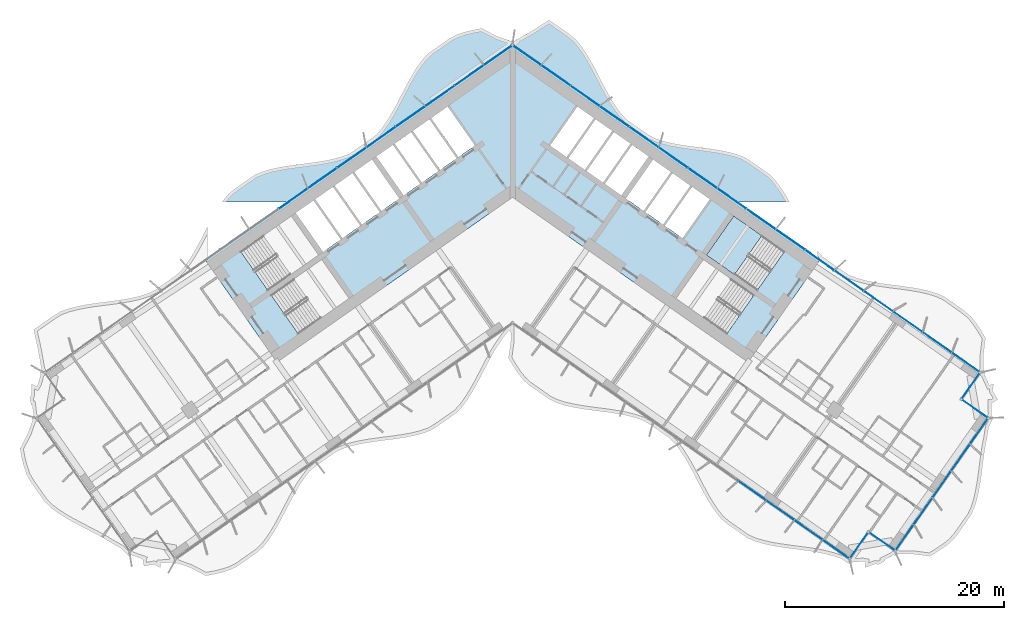
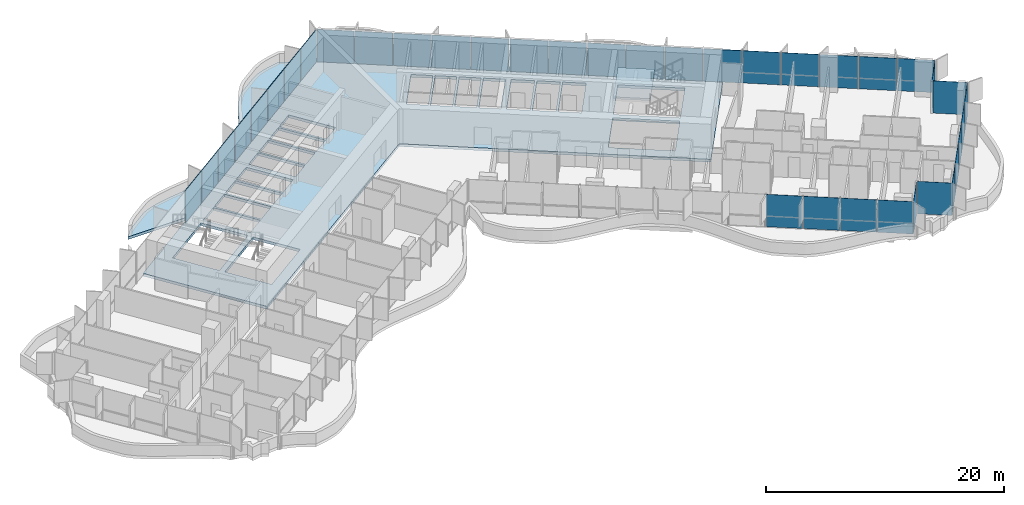
# One storey, part 12 of 25: 37 plates, 3 slabs, 3 elements without a shape of their own.
"""IFC4 building model written with IfcOpenShell, lengths in metres."""

from ifc_helpers import new_model, si_unit, direction, frame, origin, origin_2d, place, context, subcontext, project, spatial, polyline, rectangle, outline, extrude, material, layer, layer_set, type_object, element, aggregate, save


model = new_model("IFC4")

# Units and contexts
model_context = context("Model", 3, precision=1e-05, world=origin(), true_north=direction((0.0, 1.0)))
body_context = subcontext(model_context, "Body", "Model", "MODEL_VIEW")
ifc_project = project(units=[si_unit("LENGTHUNIT", "METRE"), si_unit("AREAUNIT", "SQUARE_METRE"), si_unit("VOLUMEUNIT", "CUBIC_METRE"), si_unit("PLANEANGLEUNIT", "RADIAN"), si_unit("MASSUNIT", "GRAM", prefix="KILO")], contexts=[model_context])

# Site, building, storey
site_placement = place(None, origin())
site = spatial("IfcSite", under=ifc_project, at=site_placement, CompositionType="ELEMENT")
building_placement = place(site_placement, origin())
building = spatial("IfcBuilding", under=site, at=building_placement, Name="Tel Ilan Convention Tower", CompositionType="ELEMENT")
storey_placement = place(building_placement, frame((0.0, 0.0, 58.10009765625)))
storey = spatial("IfcBuildingStorey", under=building, at=storey_placement, Name="L09", CompositionType="ELEMENT", Elevation=58.10009765625)

# Curtain wall, plates
ifc_material_1 = material(Name="Aluminium, bronze anodised", Category="aluminium")
curtain_wall_type_1 = type_object("IfcCurtainWallType", Name="CW1 UNITISED CURTAIN WALL, HOTEL TINTED GLASS", PredefinedType="NOTDEFINED", material=ifc_material_1)
curtain_wall_1_placement = place(storey_placement, origin())
curtain_wall_1 = element("IfcCurtainWall", 1, at=curtain_wall_1_placement, inside=storey, type_object=curtain_wall_type_1, Name="Curtain wall CW1-11.02", PredefinedType="NOTDEFINED")
ifc_material_2 = material(Name="Glass, bronze tinted, two-ply unitised", Category="glass")
ifc_layer_1 = layer(ifc_material_2, 0.028076171875)
ifc_layer_set_1 = layer_set([ifc_layer_1], Name="CW HOTEL GLASS PANEL 28")
plate_type_1 = type_object("IfcPlateType", Name="CW HOTEL GLASS PANEL 28", PredefinedType="CURTAIN_PANEL", material=ifc_layer_set_1)
plate_1_placement = place(storey_placement, frame((21.90185546875, -28.031982421875, 0.0), z_axis=(0.0, 0.0, 1.0), x_axis=(0.819152044289, -0.573576436351, 0.0)))
plate_1 = element("IfcPlate", 2, at=plate_1_placement, type_object=plate_type_1, Name="Glass panel", PredefinedType="CURTAIN_PANEL", context=body_context, shape_type="SweptSolid", body=[
    extrude(rectangle(XDim=3.077392578125, YDim=0.028076171875, at=origin_2d()), origin(), (0.0, 0.0, 1.0), 3.320068359375),
])
plate_2_placement = place(storey_placement, frame((24.4716796875, -29.831298828125, 0.0), z_axis=(0.0, 0.0, 1.0), x_axis=(0.819152044289, -0.573576436351, 0.0)))
plate_2 = element("IfcPlate", 3, at=plate_2_placement, type_object=plate_type_1, Name="Glass panel", PredefinedType="CURTAIN_PANEL", context=body_context, shape_type="SweptSolid", body=[
    extrude(rectangle(XDim=3.077392578125, YDim=0.028076171875, at=origin_2d()), origin(), (0.0, 0.0, 1.0), 3.320068359375),
])
plate_3_placement = place(storey_placement, frame((27.041748046875, -31.630859375, 0.0), z_axis=(0.0, 0.0, 1.0), x_axis=(0.819152044289, -0.573576436351, 0.0)))
plate_3 = element("IfcPlate", 4, at=plate_3_placement, type_object=plate_type_1, Name="Glass panel", PredefinedType="CURTAIN_PANEL", context=body_context, shape_type="SweptSolid", body=[
    extrude(rectangle(XDim=3.077392578125, YDim=0.028076171875, at=origin_2d()), origin(), (0.0, 0.0, 1.0), 3.320068359375),
])
plate_4_placement = place(storey_placement, frame((29.5732421875, -33.4033203125, 0.0), z_axis=(0.0, 0.0, 1.0), x_axis=(0.819152044289, -0.573576436351, 0.0)))
plate_4 = element("IfcPlate", 5, at=plate_4_placement, type_object=plate_type_1, Name="Glass panel", PredefinedType="CURTAIN_PANEL", context=body_context, shape_type="SweptSolid", body=[
    extrude(rectangle(XDim=2.9833984375, YDim=0.028076171875, at=origin_2d()), origin(), (0.0, 0.0, 1.0), 3.320068359375),
])
plate_5_placement = place(storey_placement, frame((31.653076171875, -33.07568359375, 0.0), z_axis=(0.0, 0.0, 1.0), x_axis=(0.573576436351, 0.819152044289, 0.0)))
plate_5 = element("IfcPlate", 6, at=plate_5_placement, type_object=plate_type_1, Name="Glass panel", PredefinedType="CURTAIN_PANEL", context=body_context, shape_type="SweptSolid", body=[
    extrude(rectangle(XDim=2.875, YDim=0.028076171875, at=origin_2d()), origin(), (0.0, 0.0, 1.0), 3.320068359375),
])
plate_6_placement = place(storey_placement, frame((33.795654296875, -32.69775390625, 0.0), z_axis=(0.0, 0.0, 1.0), x_axis=(0.819152044289, -0.573576436351, 0.0)))
plate_6 = element("IfcPlate", 7, at=plate_6_placement, type_object=plate_type_1, Name="Glass panel", PredefinedType="CURTAIN_PANEL", context=body_context, shape_type="SweptSolid", body=[
    extrude(rectangle(XDim=2.875, YDim=0.028076171875, at=origin_2d()), origin(), (0.0, 0.0, 1.0), 3.320068359375),
])
plate_7_placement = place(storey_placement, frame((35.822998046875, -32.350830078125, 0.0), z_axis=(0.0, 0.0, 1.0), x_axis=(0.573576436351, 0.819152044289, 0.0)))
plate_7 = element("IfcPlate", 8, at=plate_7_placement, type_object=plate_type_1, Name="Glass panel", PredefinedType="CURTAIN_PANEL", context=body_context, shape_type="SweptSolid", body=[
    extrude(rectangle(XDim=2.845947265625, YDim=0.028076171875, at=origin_2d()), origin(), (0.0, 0.0, 1.0), 3.320068359375),
])
plate_8_placement = place(storey_placement, frame((37.5166015625, -29.931884765625, 0.0), z_axis=(0.0, 0.0, 1.0), x_axis=(0.573576436351, 0.819152044289, 0.0)))
plate_8 = element("IfcPlate", 9, at=plate_8_placement, type_object=plate_type_1, Name="Glass panel", PredefinedType="CURTAIN_PANEL", context=body_context, shape_type="SweptSolid", body=[
    extrude(rectangle(XDim=2.93994140625, YDim=0.028076171875, at=origin_2d()), origin(), (0.0, 0.0, 1.0), 3.320068359375),
])
plate_9_placement = place(storey_placement, frame((39.2373046875, -27.474365234375, 0.0), z_axis=(0.0, 0.0, 1.0), x_axis=(0.573576436351, 0.819152044289, 0.0)))
plate_9 = element("IfcPlate", 10, at=plate_9_placement, type_object=plate_type_1, Name="Glass panel", PredefinedType="CURTAIN_PANEL", context=body_context, shape_type="SweptSolid", body=[
    extrude(rectangle(XDim=2.93994140625, YDim=0.028076171875, at=origin_2d()), origin(), (0.0, 0.0, 1.0), 3.320068359375),
])
plate_10_placement = place(storey_placement, frame((40.9580078125, -25.016845703125, 0.0), z_axis=(0.0, 0.0, 1.0), x_axis=(0.573576436351, 0.819152044289, 0.0)))
plate_10 = element("IfcPlate", 11, at=plate_10_placement, type_object=plate_type_1, Name="Glass panel", PredefinedType="CURTAIN_PANEL", context=body_context, shape_type="SweptSolid", body=[
    extrude(rectangle(XDim=2.93994140625, YDim=0.028076171875, at=origin_2d()), origin(), (0.0, 0.0, 1.0), 3.320068359375),
])
plate_11_placement = place(storey_placement, frame((42.65185546875, -22.597900390625, 0.0), z_axis=(0.0, 0.0, 1.0), x_axis=(0.573576436351, 0.819152044289, 0.0)))
plate_11 = element("IfcPlate", 12, at=plate_11_placement, type_object=plate_type_1, Name="Glass panel", PredefinedType="CURTAIN_PANEL", context=body_context, shape_type="SweptSolid", body=[
    extrude(rectangle(XDim=2.845947265625, YDim=0.028076171875, at=origin_2d()), origin(), (0.0, 0.0, 1.0), 3.320068359375),
])
plate_12_placement = place(storey_placement, frame((42.28466796875, -20.57421875, 0.0), z_axis=(0.0, 0.0, 1.0), x_axis=(-0.819152044289, 0.573576436351, 0.0)))
plate_12 = element("IfcPlate", 13, at=plate_12_placement, type_object=plate_type_1, Name="Glass panel", PredefinedType="CURTAIN_PANEL", context=body_context, shape_type="SweptSolid", body=[
    extrude(rectangle(XDim=2.875, YDim=0.028076171875, at=origin_2d()), origin(), (0.0, 0.0, 1.0), 3.320068359375),
])
plate_13_placement = place(storey_placement, frame((41.90673828125, -18.431640625, 0.0), z_axis=(0.0, 0.0, 1.0), x_axis=(0.573576436351, 0.819152044289, 0.0)))
plate_13 = element("IfcPlate", 14, at=plate_13_placement, type_object=plate_type_1, Name="Glass panel", PredefinedType="CURTAIN_PANEL", context=body_context, shape_type="SweptSolid", body=[
    extrude(rectangle(XDim=2.875, YDim=0.028076171875, at=origin_2d()), origin(), (0.0, 0.0, 1.0), 3.320068359375),
])
plate_14_placement = place(storey_placement, frame((41.448486328125, -16.326416015625, 0.0), z_axis=(0.0, 0.0, 1.0), x_axis=(-0.819152044289, 0.573576436351, 0.0)))
plate_14 = element("IfcPlate", 15, at=plate_14_placement, type_object=plate_type_1, Name="Glass panel", PredefinedType="CURTAIN_PANEL", context=body_context, shape_type="SweptSolid", body=[
    extrude(rectangle(XDim=3.117919921875, YDim=0.028076171875, at=origin_2d()), origin(), (0.0, 0.0, 1.0), 3.320068359375),
])
plate_15_placement = place(storey_placement, frame((38.806640625, -14.4765625, 0.0), z_axis=(0.0, 0.0, 1.0), x_axis=(-0.819152044289, 0.573576436351, 0.0)))
plate_15 = element("IfcPlate", 16, at=plate_15_placement, type_object=plate_type_1, Name="Glass panel", PredefinedType="CURTAIN_PANEL", context=body_context, shape_type="SweptSolid", body=[
    extrude(rectangle(XDim=3.2119140625, YDim=0.028076171875, at=origin_2d()), origin(), (0.0, 0.0, 1.0), 3.320068359375),
])
plate_16_placement = place(storey_placement, frame((36.12646484375, -12.599853515625, 0.0), z_axis=(0.0, 0.0, 1.0), x_axis=(-0.819152044289, 0.573576436351, 0.0)))
plate_16 = element("IfcPlate", 17, at=plate_16_placement, type_object=plate_type_1, Name="Glass panel", PredefinedType="CURTAIN_PANEL", context=body_context, shape_type="SweptSolid", body=[
    extrude(rectangle(XDim=3.2119140625, YDim=0.028076171875, at=origin_2d()), origin(), (0.0, 0.0, 1.0), 3.320068359375),
])
plate_17_placement = place(storey_placement, frame((33.446044921875, -10.72314453125, 0.0), z_axis=(0.0, 0.0, 1.0), x_axis=(-0.819152044289, 0.573576436351, 0.0)))
plate_17 = element("IfcPlate", 18, at=plate_17_placement, type_object=plate_type_1, Name="Glass panel", PredefinedType="CURTAIN_PANEL", context=body_context, shape_type="SweptSolid", body=[
    extrude(rectangle(XDim=3.2119140625, YDim=0.028076171875, at=origin_2d()), origin(), (0.0, 0.0, 1.0), 3.320068359375),
])
plate_18_placement = place(storey_placement, frame((30.765869140625, -8.846435546875, 0.0), z_axis=(0.0, 0.0, 1.0), x_axis=(-0.819152044289, 0.573576436351, 0.0)))
plate_18 = element("IfcPlate", 19, at=plate_18_placement, type_object=plate_type_1, Name="Glass panel", PredefinedType="CURTAIN_PANEL", context=body_context, shape_type="SweptSolid", body=[
    extrude(rectangle(XDim=3.2119140625, YDim=0.028076171875, at=origin_2d()), origin(), (0.0, 0.0, 1.0), 3.320068359375),
])
aggregate(curtain_wall_1, [plate_1, plate_2, plate_3, plate_4, plate_5, plate_6, plate_7, plate_8, plate_9, plate_10, plate_11, plate_12, plate_13, plate_14, plate_15, plate_16, plate_17, plate_18])

ifc_material_3 = material(Name="Aluminium, bronze anodised", Category="aluminium")
curtain_wall_type_2 = type_object("IfcCurtainWallType", Name="CW2 STICK CURTAIN WALL, SPANDREL PANELS", PredefinedType="NOTDEFINED", material=ifc_material_3)
curtain_wall_2_placement = place(storey_placement, origin())
curtain_wall_2 = element("IfcCurtainWall", 20, at=curtain_wall_2_placement, inside=storey, type_object=curtain_wall_type_2, Name="Curtain wall CW2-11.01", PredefinedType="NOTDEFINED")
ifc_material_4 = material(Name="Aluminium composite panel, bronze anodised", Category="aluminium")
ifc_layer_2 = layer(ifc_material_4, 0.06005859375)
ifc_layer_set_2 = layer_set([ifc_layer_2], Name="CW SPANDREL PANEL 60")
plate_type_2 = type_object("IfcPlateType", Name="CW SPANDREL PANEL 60", PredefinedType="CURTAIN_PANEL", material=ifc_layer_set_2)
plate_19_placement = place(storey_placement, frame((28.08544921875, -6.9697265625, 0.0), z_axis=(0.0, 0.0, 1.0), x_axis=(-0.819152044289, 0.573576436351, 0.0)))
plate_19 = element("IfcPlate", 21, at=plate_19_placement, type_object=plate_type_2, Name="Spandrel panel", PredefinedType="CURTAIN_PANEL", context=body_context, shape_type="SweptSolid", body=[
    extrude(rectangle(XDim=3.2119140625, YDim=0.06005859375, at=origin_2d()), origin(), (0.0, 0.0, 1.0), 3.320068359375),
])
plate_20_placement = place(storey_placement, frame((25.4052734375, -5.0927734375, 0.0), z_axis=(0.0, 0.0, 1.0), x_axis=(-0.819152044289, 0.573576436351, 0.0)))
plate_20 = element("IfcPlate", 22, at=plate_20_placement, type_object=plate_type_2, Name="Spandrel panel", PredefinedType="CURTAIN_PANEL", context=body_context, shape_type="SweptSolid", body=[
    extrude(rectangle(XDim=3.2119140625, YDim=0.06005859375, at=origin_2d()), origin(), (0.0, 0.0, 1.0), 3.320068359375),
])
plate_21_placement = place(storey_placement, frame((22.72509765625, -3.216064453125, 0.0), z_axis=(0.0, 0.0, 1.0), x_axis=(-0.819152044289, 0.573576436351, 0.0)))
plate_21 = element("IfcPlate", 23, at=plate_21_placement, type_object=plate_type_2, Name="Spandrel panel", PredefinedType="CURTAIN_PANEL", context=body_context, shape_type="SweptSolid", body=[
    extrude(rectangle(XDim=3.2119140625, YDim=0.06005859375, at=origin_2d()), origin(), (0.0, 0.0, 1.0), 3.320068359375),
])
plate_22_placement = place(storey_placement, frame((20.044677734375, -1.33935546875, 0.0), z_axis=(0.0, 0.0, 1.0), x_axis=(-0.819152044289, 0.573576436351, 0.0)))
plate_22 = element("IfcPlate", 24, at=plate_22_placement, type_object=plate_type_2, Name="Spandrel panel", PredefinedType="CURTAIN_PANEL", context=body_context, shape_type="SweptSolid", body=[
    extrude(rectangle(XDim=3.2119140625, YDim=0.06005859375, at=origin_2d()), origin(), (0.0, 0.0, 1.0), 3.320068359375),
])
plate_23_placement = place(storey_placement, frame((17.364501953125, 0.537353515625, 0.0), z_axis=(0.0, 0.0, 1.0), x_axis=(-0.819152044289, 0.573576436351, 0.0)))
plate_23 = element("IfcPlate", 25, at=plate_23_placement, type_object=plate_type_2, Name="Spandrel panel", PredefinedType="CURTAIN_PANEL", context=body_context, shape_type="SweptSolid", body=[
    extrude(rectangle(XDim=3.2119140625, YDim=0.06005859375, at=origin_2d()), origin(), (0.0, 0.0, 1.0), 3.320068359375),
])
plate_24_placement = place(storey_placement, frame((14.68408203125, 2.4140625, 0.0), z_axis=(0.0, 0.0, 1.0), x_axis=(-0.819152044289, 0.573576436351, 0.0)))
plate_24 = element("IfcPlate", 26, at=plate_24_placement, type_object=plate_type_2, Name="Spandrel panel", PredefinedType="CURTAIN_PANEL", context=body_context, shape_type="SweptSolid", body=[
    extrude(rectangle(XDim=3.2119140625, YDim=0.06005859375, at=origin_2d()), origin(), (0.0, 0.0, 1.0), 3.320068359375),
])
plate_25_placement = place(storey_placement, frame((12.00390625, 4.290771484375, 0.0), z_axis=(0.0, 0.0, 1.0), x_axis=(-0.819152044289, 0.573576436351, 0.0)))
plate_25 = element("IfcPlate", 27, at=plate_25_placement, type_object=plate_type_2, Name="Spandrel panel", PredefinedType="CURTAIN_PANEL", context=body_context, shape_type="SweptSolid", body=[
    extrude(rectangle(XDim=3.2119140625, YDim=0.06005859375, at=origin_2d()), origin(), (0.0, 0.0, 1.0), 3.320068359375),
])
plate_26_placement = place(storey_placement, frame((9.323486328125, 6.16748046875, 0.0), z_axis=(0.0, 0.0, 1.0), x_axis=(-0.819152044289, 0.573576436351, 0.0)))
plate_26 = element("IfcPlate", 28, at=plate_26_placement, type_object=plate_type_2, Name="Spandrel panel", PredefinedType="CURTAIN_PANEL", context=body_context, shape_type="SweptSolid", body=[
    extrude(rectangle(XDim=3.2119140625, YDim=0.06005859375, at=origin_2d()), origin(), (0.0, 0.0, 1.0), 3.320068359375),
])
plate_27_placement = place(storey_placement, frame((6.643310546875, 8.04443359375, 0.0), z_axis=(0.0, 0.0, 1.0), x_axis=(-0.819152044289, 0.573576436351, 0.0)))
plate_27 = element("IfcPlate", 29, at=plate_27_placement, type_object=plate_type_2, Name="Spandrel panel", PredefinedType="CURTAIN_PANEL", context=body_context, shape_type="SweptSolid", body=[
    extrude(rectangle(XDim=3.2119140625, YDim=0.06005859375, at=origin_2d()), origin(), (0.0, 0.0, 1.0), 3.320068359375),
])
plate_28_placement = place(storey_placement, frame((3.963134765625, 9.921142578125, 0.0), z_axis=(0.0, 0.0, 1.0), x_axis=(-0.819152044289, 0.573576436351, 0.0)))
plate_28 = element("IfcPlate", 30, at=plate_28_placement, type_object=plate_type_2, Name="Spandrel panel", PredefinedType="CURTAIN_PANEL", context=body_context, shape_type="SweptSolid", body=[
    extrude(rectangle(XDim=3.2119140625, YDim=0.06005859375, at=origin_2d()), origin(), (0.0, 0.0, 1.0), 3.320068359375),
])
plate_29_placement = place(storey_placement, frame((1.327880859375, 11.766357421875, 0.0), z_axis=(0.0, 0.0, 1.0), x_axis=(-0.819152044289, 0.573576436351, 0.0)))
plate_29 = element("IfcPlate", 31, at=plate_29_placement, type_object=plate_type_2, Name="Spandrel panel", PredefinedType="CURTAIN_PANEL", context=body_context, shape_type="SweptSolid", body=[
    extrude(rectangle(XDim=3.10205078125, YDim=0.06005859375, at=origin_2d()), origin(), (0.0, 0.0, 1.0), 3.320068359375),
])
plate_30_placement = place(storey_placement, frame((-1.327880859375, 11.766357421875, 0.0), z_axis=(0.0, 0.0, 1.0), x_axis=(-0.819152044289, -0.573576436351, 0.0)))
plate_30 = element("IfcPlate", 32, at=plate_30_placement, type_object=plate_type_2, Name="Spandrel panel", PredefinedType="CURTAIN_PANEL", context=body_context, shape_type="SweptSolid", body=[
    extrude(rectangle(XDim=3.10205078125, YDim=0.06005859375, at=origin_2d()), origin(), (0.0, 0.0, 1.0), 3.320068359375),
])
plate_31_placement = place(storey_placement, frame((-3.963134765625, 9.921142578125, 0.0), z_axis=(0.0, 0.0, 1.0), x_axis=(-0.819152044289, -0.573576436351, 0.0)))
plate_31 = element("IfcPlate", 33, at=plate_31_placement, type_object=plate_type_2, Name="Spandrel panel", PredefinedType="CURTAIN_PANEL", context=body_context, shape_type="SweptSolid", body=[
    extrude(rectangle(XDim=3.2119140625, YDim=0.06005859375, at=origin_2d()), origin(), (0.0, 0.0, 1.0), 3.320068359375),
])
plate_32_placement = place(storey_placement, frame((-6.643310546875, 8.04443359375, 0.0), z_axis=(0.0, 0.0, 1.0), x_axis=(-0.819152044289, -0.573576436351, 0.0)))
plate_32 = element("IfcPlate", 34, at=plate_32_placement, type_object=plate_type_2, Name="Spandrel panel", PredefinedType="CURTAIN_PANEL", context=body_context, shape_type="SweptSolid", body=[
    extrude(rectangle(XDim=3.2119140625, YDim=0.06005859375, at=origin_2d()), origin(), (0.0, 0.0, 1.0), 3.320068359375),
])
plate_33_placement = place(storey_placement, frame((-9.323486328125, 6.16748046875, 0.0), z_axis=(0.0, 0.0, 1.0), x_axis=(-0.819152044289, -0.573576436351, 0.0)))
plate_33 = element("IfcPlate", 35, at=plate_33_placement, type_object=plate_type_2, Name="Spandrel panel", PredefinedType="CURTAIN_PANEL", context=body_context, shape_type="SweptSolid", body=[
    extrude(rectangle(XDim=3.2119140625, YDim=0.06005859375, at=origin_2d()), origin(), (0.0, 0.0, 1.0), 3.320068359375),
])
plate_34_placement = place(storey_placement, frame((-12.00390625, 4.290771484375, 0.0), z_axis=(0.0, 0.0, 1.0), x_axis=(-0.819152044289, -0.573576436351, 0.0)))
plate_34 = element("IfcPlate", 36, at=plate_34_placement, type_object=plate_type_2, Name="Spandrel panel", PredefinedType="CURTAIN_PANEL", context=body_context, shape_type="SweptSolid", body=[
    extrude(rectangle(XDim=3.2119140625, YDim=0.06005859375, at=origin_2d()), origin(), (0.0, 0.0, 1.0), 3.320068359375),
])
plate_35_placement = place(storey_placement, frame((-14.68408203125, 2.4140625, 0.0), z_axis=(0.0, 0.0, 1.0), x_axis=(-0.819152044289, -0.573576436351, 0.0)))
plate_35 = element("IfcPlate", 37, at=plate_35_placement, type_object=plate_type_2, Name="Spandrel panel", PredefinedType="CURTAIN_PANEL", context=body_context, shape_type="SweptSolid", body=[
    extrude(rectangle(XDim=3.2119140625, YDim=0.06005859375, at=origin_2d()), origin(), (0.0, 0.0, 1.0), 3.320068359375),
])
plate_36_placement = place(storey_placement, frame((-17.364501953125, 0.537353515625, 0.0), z_axis=(0.0, 0.0, 1.0), x_axis=(-0.819152044289, -0.573576436351, 0.0)))
plate_36 = element("IfcPlate", 38, at=plate_36_placement, type_object=plate_type_2, Name="Spandrel panel", PredefinedType="CURTAIN_PANEL", context=body_context, shape_type="SweptSolid", body=[
    extrude(rectangle(XDim=3.2119140625, YDim=0.06005859375, at=origin_2d()), origin(), (0.0, 0.0, 1.0), 3.320068359375),
])
plate_37_placement = place(storey_placement, frame((-20.044677734375, -1.33935546875, 0.0), z_axis=(0.0, 0.0, 1.0), x_axis=(-0.819152044289, -0.573576436351, 0.0)))
plate_37 = element("IfcPlate", 39, at=plate_37_placement, type_object=plate_type_2, Name="Spandrel panel", PredefinedType="CURTAIN_PANEL", context=body_context, shape_type="SweptSolid", body=[
    extrude(rectangle(XDim=3.2119140625, YDim=0.06005859375, at=origin_2d()), origin(), (0.0, 0.0, 1.0), 3.320068359375),
])
aggregate(curtain_wall_2, [plate_19, plate_20, plate_21, plate_22, plate_23, plate_24, plate_25, plate_26, plate_27, plate_28, plate_29, plate_30, plate_31, plate_32, plate_33, plate_34, plate_35, plate_36, plate_37])

# Stair, slab
ifc_material_5 = material(Name="Concrete C40/50", Category="concrete")
stair_type = type_object("IfcStairType", Name="Pressurised Exit Stair 20 risers 180 mm", PredefinedType="HALF_TURN_STAIR", material=ifc_material_5)
stair_placement = place(storey_placement, origin())
stair = element("IfcStair", 40, at=stair_placement, inside=storey, type_object=stair_type, Name="L09 Pressurised Stair S3", PredefinedType="HALF_TURN_STAIR")
ifc_material_6 = material(Name="Concrete C40/50", Category="concrete")
ifc_layer_3 = layer(ifc_material_6, 0.199951171875)
ifc_layer_set_3 = layer_set([ifc_layer_3], Name="Concrete Stair Landing 200 mm C40/50")
slab_type_1 = type_object("IfcSlabType", Name="Concrete Stair Landing 200 mm", PredefinedType="LANDING", material=ifc_layer_set_3)
slab_1_placement = place(storey_placement, frame((0.0, 0.0, 1.599853515625)))
slab_1 = element("IfcSlab", 41, at=slab_1_placement, type_object=slab_type_1, Name="S3 landing 1", PredefinedType="LANDING", context=body_context, shape_type="SweptSolid", body=[
    extrude(outline(polyline([(22.791015625, -4.727294921875), (20.226318359375, -2.931640625), (17.7314453125, -6.494873046875), (20.2958984375, -8.29052734375), (22.791015625, -4.727294921875)])), origin(), (0.0, 0.0, 1.0), 0.199951171875),
])
aggregate(stair, [slab_1])

# Slabs
ifc_material_7 = material(Name="Concrete C40/50", Category="concrete")
ifc_layer_4 = layer(ifc_material_7, 0.280029296875)
ifc_layer_set_4 = layer_set([ifc_layer_4], Name="Core Floor Slab 280 mm C40/50")
slab_type_2 = type_object("IfcSlabType", Name="Core Floor Slab 280 mm C40/50", PredefinedType="FLOOR", material=ifc_layer_set_4)
slab_2_placement = place(storey_placement, frame((0.0, 0.0, -0.280029296875)))
element("IfcSlab", 42, at=slab_2_placement, inside=storey, type_object=slab_type_2, Name="L09 core floor 1", PredefinedType="FLOOR", context=body_context, shape_type="SweptSolid", body=[
    extrude(outline(polyline([(-0.2412109375, 12.6494140625), (-1.02099609375, 12.103271484375), (0.0, 12.818115234375), (28.1396484375, -6.885498046875), (21.54345703125, -16.3056640625), (0.0, -1.220703125), (-21.54345703125, -16.3056640625), (-28.1396484375, -6.885498046875), (-1.304931640625, 11.904296875), (-0.2412109375, 12.6494140625), (-6.190673828125, 8.4833984375), (-0.2412109375, 12.6494140625)]), holes=[polyline([(-14.949462890625, -10.4677734375), (-17.444580078125, -6.904541015625), (-22.072021484375, -10.144775390625), (-19.5771484375, -13.7080078125), (-14.949462890625, -10.4677734375)]), polyline([(-17.7314453125, -6.494873046875), (-20.226318359375, -2.931640625), (-24.85400390625, -6.171875), (-22.35888671875, -9.735107421875), (-17.7314453125, -6.494873046875)]), polyline([(-18.198974609375, -1.511962890625), (-19.81689453125, -2.644775390625), (-17.32177734375, -6.2080078125), (-15.7041015625, -5.0751953125), (-18.198974609375, -1.511962890625)]), polyline([(-16.41748046875, -0.264404296875), (-18.03515625, -1.397216796875), (-15.5400390625, -4.960693359375), (-13.92236328125, -3.827880859375), (-16.41748046875, -0.264404296875)]), polyline([(-14.6357421875, 0.983154296875), (-16.25341796875, -0.149658203125), (-13.758544921875, -3.712890625), (-12.140625, -2.580078125), (-14.6357421875, 0.983154296875)]), polyline([(-12.85400390625, 2.230712890625), (-14.471923828125, 1.097900390625), (-11.976806640625, -2.465576171875), (-10.35888671875, -1.332763671875), (-12.85400390625, 2.230712890625)]), polyline([(-10.939208984375, 3.5712890625), (-12.444580078125, 2.517333984375), (-9.949462890625, -1.0458984375), (-8.444091796875, 0.008056640625), (-10.939208984375, 3.5712890625)]), polyline([(-6.775146484375, 1.1767578125), (-9.270263671875, 4.739990234375), (-10.775390625, 3.68603515625), (-8.280517578125, 0.122802734375), (-6.775146484375, 1.1767578125)]), polyline([(-5.106201171875, 2.345458984375), (-7.601318359375, 5.90869140625), (-9.1064453125, 4.854736328125), (-6.611328125, 1.29150390625), (-5.106201171875, 2.345458984375)]), polyline([(-5.93212890625, 7.077392578125), (-7.4375, 6.0234375), (-4.9423828125, 2.460205078125), (-3.437255859375, 3.513916015625), (-5.93212890625, 7.077392578125)]), polyline([(17.444580078125, -6.904541015625), (14.949462890625, -10.4677734375), (19.5771484375, -13.7080078125), (22.072021484375, -10.144775390625), (17.444580078125, -6.904541015625)]), polyline([(20.226318359375, -2.931640625), (17.7314453125, -6.494873046875), (22.35888671875, -9.735107421875), (24.85400390625, -6.171875), (20.226318359375, -2.931640625)]), polyline([(13.92236328125, -3.827880859375), (15.5400390625, -4.960693359375), (18.03515625, -1.397216796875), (16.41748046875, -0.264404296875), (13.92236328125, -3.827880859375)]), polyline([(12.140625, -2.580078125), (13.758544921875, -3.712890625), (16.25341796875, -0.149658203125), (14.6357421875, 0.983154296875), (12.140625, -2.580078125)]), polyline([(11.976806640625, -2.465576171875), (14.471923828125, 1.097900390625), (12.85400390625, 2.230712890625), (10.35888671875, -1.332763671875), (11.976806640625, -2.465576171875)]), polyline([(9.949462890625, -1.0458984375), (12.444580078125, 2.517333984375), (10.939208984375, 3.5712890625), (8.444091796875, 0.008056640625), (9.949462890625, -1.0458984375)]), polyline([(8.280517578125, 0.122802734375), (10.775390625, 3.68603515625), (9.270263671875, 4.739990234375), (6.775146484375, 1.1767578125), (8.280517578125, 0.122802734375)]), polyline([(5.106201171875, 2.345458984375), (6.611328125, 1.29150390625), (9.1064453125, 4.854736328125), (7.601318359375, 5.90869140625), (5.106201171875, 2.345458984375)]), polyline([(3.437255859375, 3.513916015625), (4.9423828125, 2.460205078125), (7.4375, 6.0234375), (5.93212890625, 7.077392578125), (3.437255859375, 3.513916015625)])]), origin(), (0.0, 0.0, 1.0), 0.280029296875),
])
ifc_material_8 = material(Name="Concrete C40/50", Category="concrete")
ifc_layer_5 = layer(ifc_material_8, 0.280029296875)
ifc_layer_set_5 = layer_set([ifc_layer_5], Name="Edge Ledge Slab 280 mm C40/50")
slab_type_3 = type_object("IfcSlabType", Name="Edge Ledge Slab 280 mm C40/50", PredefinedType="FLOOR", material=ifc_layer_set_5)
slab_3_placement = place(storey_placement, frame((0.0, 0.0, -0.280029296875)))
element("IfcSlab", 43, at=slab_3_placement, inside=storey, type_object=slab_type_3, Name="L09 edge ledge 2", PredefinedType="FLOOR", context=body_context, shape_type="SweptSolid", body=[
    extrude(outline(polyline([(-23.564453125, 0.8349609375), (-22.857421875, 1.129150390625), (-22.099365234375, 1.350341796875), (-21.307861328125, 1.52392578125), (-20.490966796875, 1.661376953125), (-19.658203125, 1.77587890625), (-18.8193359375, 1.881591796875), (-17.98486328125, 1.993896484375), (-17.16455078125, 2.12646484375), (-16.368408203125, 2.29296875), (-15.60400390625, 2.50537109375), (-14.87890625, 2.773681640625), (-14.2626953125, 3.197509765625), (-13.037353515625, 4.055419921875), (-12.43994140625, 4.506103515625), (-11.945068359375, 5.103271484375), (-11.48828125, 5.755126953125), (-11.06298828125, 6.451416015625), (-10.66015625, 7.179931640625), (-10.2705078125, 7.927490234375), (-9.8837890625, 8.67919921875), (-9.489990234375, 9.42041015625), (-9.078857421875, 10.13720703125), (-8.641357421875, 10.81640625), (-8.169677734375, 11.446533203125), (-7.635986328125, 11.98828125), (-5.798095703125, 13.275146484375), (-5.14013671875, 13.639404296875), (-4.39794921875, 13.88330078125), (-3.619384765625, 14.075439453125), (-2.81201171875, 14.226318359375), (-1.382080078125, 13.48828125), (-0.172119140625, 13.06396484375), (-0.168701171875, 13.05908203125), (-0.11474609375, 13.09521484375), (0.0, 13.1181640625), (0.11474609375, 13.09521484375), (0.168701171875, 13.05908203125), (0.172119140625, 13.06396484375), (1.705810546875, 13.95068359375), (3.347412109375, 14.990966796875), (3.960205078125, 14.56201171875), (5.185302734375, 13.7041015625), (5.7705078125, 13.23583984375), (6.26025390625, 12.63134765625), (6.712646484375, 11.9736328125), (7.134765625, 11.272705078125), (7.535400390625, 10.540771484375), (7.924072265625, 9.7919921875), (8.31103515625, 9.040771484375), (8.70654296875, 8.3017578125), (9.12060546875, 7.589111328125), (9.56201171875, 6.915283203125), (10.038330078125, 6.2919921875), (10.5869140625, 5.771484375), (12.4248046875, 4.484619140625), (13.0966796875, 4.139892578125), (13.843505859375, 3.903076171875), (14.626220703125, 3.716796875), (15.4365234375, 3.570068359375), (16.265625, 3.4501953125), (17.103759765625, 3.343505859375), (17.940673828125, 3.234619140625), (18.76611328125, 3.109619140625), (19.5703125, 2.9541015625), (20.344482421875, 2.756103515625), (21.081787109375, 2.505126953125), (21.7265625, 2.121826171875), (23.564453125, 0.8349609375), (24.082763671875, 0.271240234375), (24.5498046875, -0.365478515625), (24.983642578125, -1.0498046875), (25.313232421875, -1.631591796875), (20.63623046875, -1.631591796875), (0.0, 12.818115234375), (-0.23974609375, 12.650146484375), (-1.244384765625, 11.94677734375), (-20.63623046875, -1.631591796875), (-26.5380859375, -1.631591796875), (-26.470947265625, -1.533447265625), (-25.98291015625, -0.9267578125), (-25.40234375, -0.451904296875), (-23.564453125, 0.8349609375)])), origin(), (0.0, 0.0, 1.0), 0.280029296875),
])

save(model, "model.ifc")
